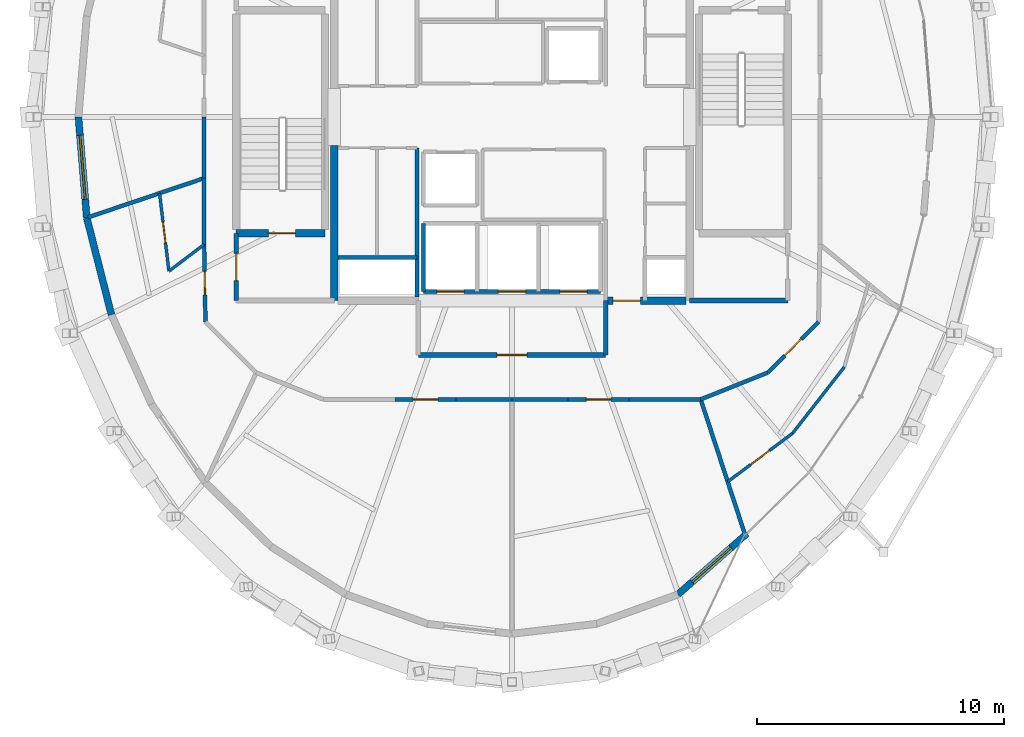
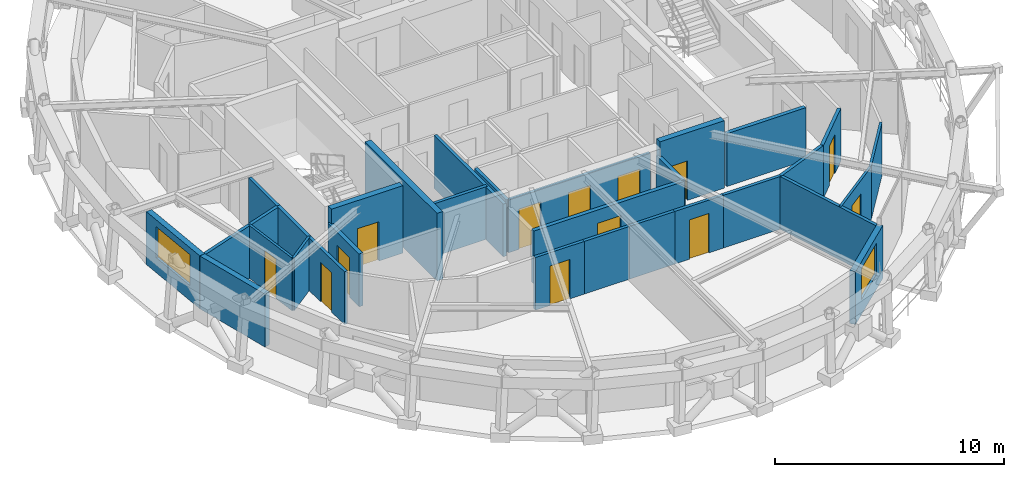
# One storey, part 10 of 14: 30 walls, 13 doors, 2 windows, 15 openings.
"""IFC4 building model written with IfcOpenShell, lengths in metres."""

import ifcopenshell
import ifcopenshell.guid

model = None  # the IFC model being written
_history = None  # IfcOwnerHistory: only IFC2X3 demands one
_inside = {}  # id of a spatial element -> (the spatial element, [elements in it])
_under = {}  # id of a project, library or spatial element -> (it, [spatial elements below it])
_declared = {}  # id of a project -> (the project, [libraries it declares])
_typed = {}  # id of a type object -> (the type object, [elements of that type])
_made_of = {}  # id of a material, layer set ... -> (it, [elements and type objects made of it])


def new_model(schema):
    """Start an empty IFC model of exactly this schema.

    Asked for "IFC4X3", IfcOpenShell would pick the latest addendum, in which some entities
    have other attributes; the version numbers below select the first issue.
    IFC2X3 requires an IfcOwnerHistory on every rooted entity: one is made here for all.
    """
    global model, _history
    if schema == "IFC4X3":
        model = ifcopenshell.file(schema_version=(4, 3, 0, 0))
    else:
        model = ifcopenshell.file(schema=schema)
    _inside.clear()
    _under.clear()
    _declared.clear()
    _typed.clear()
    _made_of.clear()
    _history = None
    if model.schema == "IFC2X3":
        org = make("IfcOrganization", Name="unknown")
        user = make(
            "IfcPersonAndOrganization",
            ThePerson=make("IfcPerson", FamilyName="unknown"),
            TheOrganization=org,
        )
        app = make(
            "IfcApplication",
            ApplicationDeveloper=org,
            Version="unknown",
            ApplicationFullName="unknown",
            ApplicationIdentifier="unknown",
        )
        _history = make(
            "IfcOwnerHistory",
            OwningUser=user,
            OwningApplication=app,
            ChangeAction="ADDED",
            CreationDate=0,
        )
    return model


def make(cls, **values):
    """One entity of the class cls with the attributes given. An attribute that is None is left unset."""
    return model.create_entity(
        cls, **{name: value for name, value in values.items() if value is not None}
    )


def rooted(cls, **values):
    """An entity with a GlobalId (a new one), such as an element, a storey or a relation."""
    return make(cls, GlobalId=ifcopenshell.guid.new(), OwnerHistory=_history, **values)


def si_unit(unit_type, name, prefix=None):
    """IfcSIUnit, for example si_unit("LENGTHUNIT", "METRE", prefix="MILLI")."""
    return make("IfcSIUnit", UnitType=unit_type, Prefix=prefix, Name=name)


def assignment(units):
    """IfcUnitAssignment: the units of a project."""
    return None if units is None else make("IfcUnitAssignment", Units=units)


def point(xyz):
    """IfcCartesianPoint."""
    return None if xyz is None else make("IfcCartesianPoint", Coordinates=xyz)


def direction(xyz):
    """IfcDirection."""
    return None if xyz is None else make("IfcDirection", DirectionRatios=xyz)


def frame(location, z_axis=None, x_axis=None):
    """IfcAxis2Placement3D, a coordinate frame: its origin and axes. An axis left out is left unset."""
    return make(
        "IfcAxis2Placement3D",
        Location=point(location),
        Axis=direction(z_axis),
        RefDirection=direction(x_axis),
    )


def frame_2d(location, x_axis=None):
    """IfcAxis2Placement2D, a coordinate frame in the plane: its origin and x axis."""
    return make(
        "IfcAxis2Placement2D", Location=point(location), RefDirection=direction(x_axis)
    )


def origin():
    """The frame at (0, 0, 0) with its axes left unset."""
    return frame((0.0, 0.0, 0.0))


def place(relative_to, where):
    """IfcLocalPlacement: puts the frame where relative to a parent placement (None: the world)."""
    return make(
        "IfcLocalPlacement", PlacementRelTo=relative_to, RelativePlacement=where
    )


def context(
    kind, dimensions, precision=None, world=None, true_north=None, identifier=None
):
    """IfcGeometricRepresentationContext, for example the 3D "Model" context."""
    return make(
        "IfcGeometricRepresentationContext",
        ContextIdentifier=identifier,
        ContextType=kind,
        CoordinateSpaceDimension=dimensions,
        Precision=precision,
        WorldCoordinateSystem=world,
        TrueNorth=true_north,
    )


def subcontext(parent, identifier, kind, view, scale=None):
    """IfcGeometricRepresentationSubContext, for example "Body" below "Model"."""
    return make(
        "IfcGeometricRepresentationSubContext",
        ContextIdentifier=identifier,
        ContextType=kind,
        ParentContext=parent,
        TargetScale=scale,
        TargetView=view,
    )


def project(units=None, contexts=None):
    """IfcProject with its units and contexts."""
    return rooted(
        "IfcProject",
        Name="project",
        RepresentationContexts=contexts,
        UnitsInContext=assignment(units),
    )


def spatial(cls, under=None, at=None, **own):
    """A site, building, storey or space (cls), placed at a placement, below another one or the project."""
    s = rooted(cls, ObjectPlacement=at, **own)
    if under is not None:
        _under.setdefault(under.id(), (under, []))[1].append(s)
    return s


def profile(cls, at=None, kind="AREA", **sizes):
    """A parametric profile (cls). Its sizes go by their IFC names, for example OverallWidth=200.0."""
    return make(cls, ProfileType=kind, Position=at, **sizes)


def rectangle(**sizes):
    """IfcRectangleProfileDef."""
    return profile("IfcRectangleProfileDef", **sizes)


def extrude(swept, where, along, depth):
    """IfcExtrudedAreaSolid: the profile swept, set in the frame where, extruded along a direction by depth."""
    return make(
        "IfcExtrudedAreaSolid",
        SweptArea=swept,
        Position=where,
        ExtrudedDirection=direction(along),
        Depth=depth,
    )


def shape(context_of_items, identifier, shape_type, items):
    """IfcShapeRepresentation: the items that make up one representation, for example the "Body"."""
    return make(
        "IfcShapeRepresentation",
        ContextOfItems=context_of_items,
        RepresentationIdentifier=identifier,
        RepresentationType=shape_type,
        Items=items,
    )


def material(Name=None, Category=None):
    """IfcMaterial."""
    return make("IfcMaterial", Name=Name, Category=Category)


def layer(
    of_material, thickness, ventilated=None, Name=None, Category=None, Priority=None
):
    """IfcMaterialLayer: one layer of a wall or slab, of a material (None: an air gap)."""
    return make(
        "IfcMaterialLayer",
        Material=of_material,
        LayerThickness=thickness,
        IsVentilated=ventilated,
        Name=Name,
        Category=Category,
        Priority=Priority,
    )


def layer_set(layers, Name=None):
    """IfcMaterialLayerSet."""
    return make("IfcMaterialLayerSet", MaterialLayers=layers, LayerSetName=Name)


def made_of(thing, what):
    """Note that an element or type object is made of a material, layer set ...; save() writes the relation."""
    if what is not None:
        _made_of.setdefault(what.id(), (what, []))[1].append(thing)
    return thing


def type_object(cls, material=None, **own):
    """A type object (cls), such as IfcWallType, which elements share."""
    return made_of(rooted(cls, **own), material)


def element(
    cls,
    number,
    at=None,
    inside=None,
    cuts=None,
    type_object=None,
    material=None,
    context=None,
    identifier="Body",
    shape_type=None,
    held_by="IfcProductDefinitionShape",
    body=None,
    shapes=None,
    **own,
):
    """One element of the class cls, such as IfcWall. Its Tag is "e" and its number.

    at: its placement. inside: the storey or other place that contains it. cuts: it is an
    opening in that element (IfcRelVoidsElement). A single representation is given by context,
    identifier, shape_type and body (its items); several are given by shapes. held_by: the class
    of the entity that holds the representations. save() writes the other relations.
    """
    e = rooted(cls, Tag="e%d" % number, ObjectPlacement=at, **own)
    if body is not None:
        shapes = [shape(context, identifier, shape_type, body)]
    if shapes is not None:
        e.Representation = make(held_by, Representations=shapes)
    if inside is not None:
        _inside.setdefault(inside.id(), (inside, []))[1].append(e)
    if cuts is not None:
        rooted(
            "IfcRelVoidsElement", RelatingBuildingElement=cuts, RelatedOpeningElement=e
        )
    if type_object is not None:
        _typed.setdefault(type_object.id(), (type_object, []))[1].append(e)
    return made_of(e, material)


def fill(opening, filler):
    """IfcRelFillsElement: the door or window that sits in an opening."""
    return rooted(
        "IfcRelFillsElement",
        RelatingOpeningElement=opening,
        RelatedBuildingElement=filler,
    )


def aggregate(whole, parts):
    """IfcRelAggregates: a whole, such as a stair, and the parts it consists of."""
    return rooted("IfcRelAggregates", RelatingObject=whole, RelatedObjects=parts)


def save(model, path):
    """Write the relations noted so far, then the file.

    IfcRelAggregates (storeys below a building ...), IfcRelContainedInSpatialStructure (elements
    in a storey), IfcRelDefinesByType, IfcRelAssociatesMaterial and IfcRelDeclares: one each for
    every whole, place, type object, material and project.
    """
    for whole, parts in _under.values():
        aggregate(whole, parts)
    for where, things in _inside.values():
        rooted(
            "IfcRelContainedInSpatialStructure",
            RelatedElements=things,
            RelatingStructure=where,
        )
    for kind, things in _typed.values():
        rooted("IfcRelDefinesByType", RelatedObjects=things, RelatingType=kind)
    for what, things in _made_of.values():
        rooted("IfcRelAssociatesMaterial", RelatedObjects=things, RelatingMaterial=what)
    for by, libraries in _declared.values():
        rooted("IfcRelDeclares", RelatingContext=by, RelatedDefinitions=libraries)
    model.write(path)


model = new_model("IFC4")

# Units and contexts
model_context = context("Model", 3, precision=1e-05, world=origin(), true_north=direction((0.0, 1.0)))
body_context = subcontext(model_context, "Body", "Model", "MODEL_VIEW")
ifc_project = project(units=[si_unit("LENGTHUNIT", "METRE"), si_unit("AREAUNIT", "SQUARE_METRE"), si_unit("VOLUMEUNIT", "CUBIC_METRE"), si_unit("PLANEANGLEUNIT", "RADIAN"), si_unit("MASSUNIT", "GRAM", prefix="KILO")], contexts=[model_context])

# Site, building, storey
site_placement = place(None, origin())
site = spatial("IfcSite", under=ifc_project, at=site_placement, CompositionType="ELEMENT")
building_placement = place(site_placement, origin())
building = spatial("IfcBuilding", under=site, at=building_placement, Name="Veldorina Hangang Commons", CompositionType="ELEMENT")
storey_placement = place(building_placement, frame((0.0, 0.0, 294.0)))
storey = spatial("IfcBuildingStorey", under=building, at=storey_placement, Name="L77", CompositionType="ELEMENT", Elevation=294.0)

# Wall
ifc_material_1 = material(Name="Concrete C50/60", Category="concrete")
ifc_layer_1 = layer(ifc_material_1, 0.300048828125)
ifc_layer_set_1 = layer_set([ifc_layer_1], Name="Concrete C50/60")
wall_type_1 = type_object("IfcWallType", Name="CW-RC300-C50", PredefinedType="SHEAR", material=ifc_layer_set_1)
wall_1_placement = place(storey_placement, frame((24.800048828125, 16.550048828125, 0.0), z_axis=(0.0, 0.0, 1.0), x_axis=(0.0, 1.0, 0.0)))
element("IfcWall", 1, at=wall_1_placement, inside=storey, type_object=wall_type_1, Name="L77 W south core shear wall", PredefinedType="SHEAR", context=body_context, shape_type="SweptSolid", body=[
    extrude(rectangle(XDim=6.300048828125, YDim=0.300048828125, at=frame_2d((3.14990234375, 0.0))), origin(), (0.0, 0.0, 1.0), 3.60009765625),
])

# Wall, opening, door
wall_2_placement = place(storey_placement, frame((35.800048828125, 16.550048828125, 0.0), z_axis=(0.0, 0.0, 1.0), x_axis=(1.0, 0.0, 0.0)))
wall_2 = element("IfcWall", 2, at=wall_2_placement, inside=storey, type_object=wall_type_1, Name="L77 south-east core shear wall", PredefinedType="SHEAR", context=body_context, shape_type="SweptSolid", body=[
    extrude(rectangle(XDim=3.25, YDim=0.300048828125, at=frame_2d((1.625, 0.0))), origin(), (0.0, 0.0, 1.0), 3.60009765625),
])
opening_1_placement = place(wall_2_placement, frame((0.300048828125, 0.0, 0.0)))
opening_1 = element("IfcOpeningElement", 3, at=opening_1_placement, cuts=wall_2, Name="Opening D-08", PredefinedType="OPENING", context=body_context, shape_type="SweptSolid", body=[
    extrude(rectangle(XDim=1.10009765625, YDim=2.10009765625, at=frame_2d((0.550048828125, 1.050048828125))), frame((0.0, 0.16015625, 0.0), z_axis=(0.0, -1.0, 0.0), x_axis=(1.0, 0.0, 0.0)), (0.0, 0.0, 1.0), 0.320068359375),
])
ifc_material_2 = material(Name="Steel Fire-Rated Smoke Seal", Category="steel")
door_type_1 = type_object("IfcDoorType", Name="DR-FIRE-1100", OperationType="SINGLE_SWING_RIGHT", PredefinedType="DOOR", material=ifc_material_2)
door_1_placement = place(opening_1_placement, origin())
door_1 = element("IfcDoor", 4, at=door_1_placement, inside=storey, type_object=door_type_1, Name="L77 central lift lobby south corridor door", OperationType="SINGLE_SWING_RIGHT", OverallHeight=2.10009765625, OverallWidth=1.10009765625, PredefinedType="DOOR", context=body_context, shape_type="SweptSolid", body=[
    extrude(rectangle(XDim=1.10009765625, YDim=2.10009765625, at=frame_2d((0.550048828125, 1.050048828125))), frame((0.0, 0.02490234375, 0.0), z_axis=(0.0, -1.0, 0.0), x_axis=(1.0, 0.0, 0.0)), (0.0, 0.0, 1.0), 0.050048828125),
])
fill(opening_1, door_1)

# Wall, opening, window
ifc_material_3 = material(Name="Stone Roman Travertine", Category="masonry")
ifc_layer_2 = layer(ifc_material_3, 0.280029296875)
ifc_layer_set_2 = layer_set([ifc_layer_2], Name="Stone Roman Travertine")
wall_type_2 = type_object("IfcWallType", Name="EW-TRAV-280", PredefinedType="STANDARD", material=ifc_layer_set_2)
wall_3_placement = place(storey_placement, frame((14.424072265625, 24.0, 0.0), z_axis=(0.0, 0.0, 1.0), x_axis=(0.082321320945, -0.996605839898, 0.0)))
wall_3 = element("IfcWall", 5, at=wall_3_placement, inside=storey, type_object=wall_type_2, Name="L77 travertine facade wall 16", PredefinedType="STANDARD", context=body_context, shape_type="SweptSolid", body=[
    extrude(rectangle(XDim=4.1015625, YDim=0.280029296875, at=frame_2d((2.05078125, 0.0))), origin(), (0.0, 0.0, 1.0), 2.820068359375),
])
opening_2_placement = place(wall_3_placement, frame((0.750732421875, 0.0, 0.800048828125)))
opening_2 = element("IfcOpeningElement", 6, at=opening_2_placement, cuts=wall_3, Name="Opening W-02", PredefinedType="OPENING", context=body_context, shape_type="SweptSolid", body=[
    extrude(rectangle(XDim=2.60009765625, YDim=1.64990234375, at=frame_2d((1.300048828125, 0.824951171875))), frame((0.0, 0.14990234375, 0.0), z_axis=(0.0, -1.0, 0.0), x_axis=(1.0, 0.0, 0.0)), (0.0, 0.0, 1.0), 0.300048828125),
])
ifc_material_4 = material(Name="Glass Low-E Triple IGU", Category="glass")
window_type_1 = type_object("IfcWindowType", Name="WIN-TWR-2600", PartitioningType="SINGLE_PANEL", PredefinedType="WINDOW", material=ifc_material_4)
window_1_placement = place(opening_2_placement, origin())
window_1 = element("IfcWindow", 7, at=window_1_placement, inside=storey, type_object=window_type_1, Name="L77 facade window 16", OverallHeight=1.64990234375, OverallWidth=2.60009765625, PartitioningType="SINGLE_PANEL", PredefinedType="WINDOW", context=body_context, shape_type="SweptSolid", body=[
    extrude(rectangle(XDim=2.60009765625, YDim=1.64990234375, at=frame_2d((1.300048828125, 0.824951171875))), frame((0.0, 0.030029296875, 0.0), z_axis=(0.0, -1.0, 0.0), x_axis=(1.0, 0.0, 0.0)), (0.0, 0.0, 1.0), 0.06005859375),
])
fill(opening_2, window_1)

# Wall
wall_4_placement = place(storey_placement, frame((14.76171875, 19.912353515625, 0.0), z_axis=(0.0, 0.0, 1.0), x_axis=(0.246626857917, -0.969110516378, 0.0)))
element("IfcWall", 8, at=wall_4_placement, inside=storey, type_object=wall_type_2, Name="L77 travertine facade wall 17", PredefinedType="STANDARD", context=body_context, shape_type="SweptSolid", body=[
    extrude(rectangle(XDim=4.0556640625, YDim=0.280029296875, at=frame_2d((2.02783203125, 0.0))), origin(), (0.0, 0.0, 1.0), 2.820068359375),
])

# Wall, opening, window
wall_5_placement = place(storey_placement, frame((38.72607421875, 4.642822265625, 0.0), z_axis=(0.0, 0.0, 1.0), x_axis=(0.75049902536, 0.660871555549, 0.0)))
wall_5 = element("IfcWall", 9, at=wall_5_placement, inside=storey, type_object=wall_type_2, Name="L77 travertine facade wall 26", PredefinedType="STANDARD", context=body_context, shape_type="SweptSolid", body=[
    extrude(rectangle(XDim=3.726318359375, YDim=0.280029296875, at=frame_2d((1.86328125, 0.0))), origin(), (0.0, 0.0, 1.0), 2.820068359375),
])
opening_3_placement = place(wall_5_placement, frame((0.76708984375, 0.0, 0.800048828125)))
opening_3 = element("IfcOpeningElement", 10, at=opening_3_placement, cuts=wall_5, Name="Opening W-03", PredefinedType="OPENING", context=body_context, shape_type="SweptSolid", body=[
    extrude(rectangle(XDim=2.10009765625, YDim=1.64990234375, at=frame_2d((1.050048828125, 0.824951171875))), frame((0.0, 0.14990234375, 0.0), z_axis=(0.0, -1.0, 0.0), x_axis=(1.0, 0.0, 0.0)), (0.0, 0.0, 1.0), 0.300048828125),
])
window_type_2 = type_object("IfcWindowType", Name="WIN-TWR-2100", PartitioningType="SINGLE_PANEL", PredefinedType="WINDOW", material=ifc_material_4)
window_2_placement = place(opening_3_placement, origin())
window_2 = element("IfcWindow", 11, at=window_2_placement, inside=storey, type_object=window_type_2, Name="L77 facade window 26", OverallHeight=1.64990234375, OverallWidth=2.10009765625, PartitioningType="SINGLE_PANEL", PredefinedType="WINDOW", context=body_context, shape_type="SweptSolid", body=[
    extrude(rectangle(XDim=2.10009765625, YDim=1.64990234375, at=frame_2d((1.050048828125, 0.824951171875))), frame((0.0, 0.030029296875, 0.0), z_axis=(0.0, -1.0, 0.0), x_axis=(1.0, 0.0, 0.0)), (0.0, 0.0, 1.0), 0.06005859375),
])
fill(opening_3, window_2)

# Wall, opening, door
ifc_layer_3 = layer(ifc_material_1, 0.300048828125)
ifc_layer_set_3 = layer_set([ifc_layer_3], Name="Concrete C50/60")
wall_type_3 = type_object("IfcWallType", Name="SW-STAIR-300", PredefinedType="SHEAR", material=ifc_layer_set_3)
wall_6_placement = place(storey_placement, frame((20.820068359375, 19.280029296875, 0.0), z_axis=(0.0, 0.0, 1.0), x_axis=(1.0, 0.0, 0.0)))
wall_6 = element("IfcWall", 12, at=wall_6_placement, inside=storey, type_object=wall_type_3, Name="L77 ST1 south stair shear wall", PredefinedType="SHEAR", context=body_context, shape_type="SweptSolid", body=[
    extrude(rectangle(XDim=3.599853515625, YDim=0.300048828125, at=frame_2d((1.7998046875, 0.0))), origin(), (0.0, 0.0, 1.0), 3.60009765625),
])
opening_4_placement = place(wall_6_placement, frame((1.300048828125, 0.0, 0.0)))
opening_4 = element("IfcOpeningElement", 13, at=opening_4_placement, cuts=wall_6, Name="Opening D-08", PredefinedType="OPENING", context=body_context, shape_type="SweptSolid", body=[
    extrude(rectangle(XDim=1.10009765625, YDim=2.10009765625, at=frame_2d((0.550048828125, 1.050048828125))), frame((0.0, 0.16015625, 0.0), z_axis=(0.0, -1.0, 0.0), x_axis=(1.0, 0.0, 0.0)), (0.0, 0.0, 1.0), 0.320068359375),
])
door_2_placement = place(opening_4_placement, origin())
door_2 = element("IfcDoor", 14, at=door_2_placement, inside=storey, type_object=door_type_1, Name="L77 Special Escape Stair ST-1 door", OperationType="SINGLE_SWING_LEFT", OverallHeight=2.10009765625, OverallWidth=1.10009765625, PredefinedType="DOOR", context=body_context, shape_type="SweptSolid", body=[
    extrude(rectangle(XDim=1.10009765625, YDim=2.10009765625, at=frame_2d((0.550048828125, 1.050048828125))), frame((0.0, 0.02490234375, 0.0), z_axis=(0.0, -1.0, 0.0), x_axis=(1.0, 0.0, 0.0)), (0.0, 0.0, 1.0), 0.050048828125),
])
fill(opening_4, door_2)

# Wall, openings, doors
ifc_material_5 = material(Name="Gypsum Fire-Rated Twin Stud Wall", Category="gypsum")
ifc_layer_4 = layer(ifc_material_5, 0.159912109375)
ifc_layer_set_4 = layer_set([ifc_layer_4], Name="Gypsum Fire-Rated Twin Stud Wall")
wall_type_4 = type_object("IfcWallType", Name="WL-FIRE-160", PredefinedType="SOLIDWALL", material=ifc_layer_set_4)
wall_7_placement = place(storey_placement, frame((28.419921875, 16.919921875, 0.0), z_axis=(0.0, 0.0, 1.0), x_axis=(1.0, 0.0, 0.0)))
wall_7 = element("IfcWall", 15, at=wall_7_placement, inside=storey, type_object=wall_type_4, Name="L77 Emergency front shaft wall 023", PredefinedType="SOLIDWALL", context=body_context, shape_type="SweptSolid", body=[
    extrude(rectangle(XDim=7.16015625, YDim=0.159912109375, at=frame_2d((3.580078125, 0.0))), origin(), (0.0, 0.0, 1.0), 2.81005859375),
])
opening_5_placement = place(wall_7_placement, frame((0.530029296875, 0.0, 0.0)))
opening_5 = element("IfcOpeningElement", 16, at=opening_5_placement, cuts=wall_7, Name="Opening LD-03", PredefinedType="OPENING", context=body_context, shape_type="SweptSolid", body=[
    extrude(rectangle(XDim=1.10009765625, YDim=2.14990234375, at=frame_2d((0.550048828125, 1.074951171875))), frame((0.0, 0.08984375, 0.0), z_axis=(0.0, -1.0, 0.0), x_axis=(1.0, 0.0, 0.0)), (0.0, 0.0, 1.0), 0.179931640625),
])
opening_6_placement = place(wall_7_placement, frame((3.030029296875, 0.0, 0.0)))
opening_6 = element("IfcOpeningElement", 17, at=opening_6_placement, cuts=wall_7, Name="Opening LD-03", PredefinedType="OPENING", context=body_context, shape_type="SweptSolid", body=[
    extrude(rectangle(XDim=1.10009765625, YDim=2.14990234375, at=frame_2d((0.550048828125, 1.074951171875))), frame((0.0, 0.08984375, 0.0), z_axis=(0.0, -1.0, 0.0), x_axis=(1.0, 0.0, 0.0)), (0.0, 0.0, 1.0), 0.179931640625),
])
opening_7_placement = place(wall_7_placement, frame((5.530029296875, 0.0, 0.0)))
opening_7 = element("IfcOpeningElement", 18, at=opening_7_placement, cuts=wall_7, Name="Opening LD-03", PredefinedType="OPENING", context=body_context, shape_type="SweptSolid", body=[
    extrude(rectangle(XDim=1.10009765625, YDim=2.14990234375, at=frame_2d((0.550048828125, 1.074951171875))), frame((0.0, 0.08984375, 0.0), z_axis=(0.0, -1.0, 0.0), x_axis=(1.0, 0.0, 0.0)), (0.0, 0.0, 1.0), 0.179931640625),
])
ifc_material_6 = material(Name="Stainless Steel Firefighting Lift Door", Category="steel")
door_type_2 = type_object("IfcDoorType", Name="DR-LIFT-FF1100", OperationType="SLIDING_TO_RIGHT", PredefinedType="DOOR", material=ifc_material_6)
door_3_placement = place(opening_5_placement, origin())
door_3 = element("IfcDoor", 19, at=door_3_placement, inside=storey, type_object=door_type_2, Name="L77 Emergency lift FFL-1 landing door 008", OperationType="SLIDING_TO_RIGHT", OverallHeight=2.14990234375, OverallWidth=1.10009765625, PredefinedType="DOOR", context=body_context, shape_type="SweptSolid", body=[
    extrude(rectangle(XDim=1.10009765625, YDim=2.14990234375, at=frame_2d((0.550048828125, 1.074951171875))), frame((0.0, 0.02490234375, 0.0), z_axis=(0.0, -1.0, 0.0), x_axis=(1.0, 0.0, 0.0)), (0.0, 0.0, 1.0), 0.050048828125),
])
fill(opening_5, door_3)
door_4_placement = place(opening_6_placement, origin())
door_4 = element("IfcDoor", 20, at=door_4_placement, inside=storey, type_object=door_type_2, Name="L77 Emergency lift FFL-2 landing door 009", OperationType="SLIDING_TO_RIGHT", OverallHeight=2.14990234375, OverallWidth=1.10009765625, PredefinedType="DOOR", context=body_context, shape_type="SweptSolid", body=[
    extrude(rectangle(XDim=1.10009765625, YDim=2.14990234375, at=frame_2d((0.550048828125, 1.074951171875))), frame((0.0, 0.02490234375, 0.0), z_axis=(0.0, -1.0, 0.0), x_axis=(1.0, 0.0, 0.0)), (0.0, 0.0, 1.0), 0.050048828125),
])
fill(opening_6, door_4)
door_5_placement = place(opening_7_placement, origin())
door_5 = element("IfcDoor", 21, at=door_5_placement, inside=storey, type_object=door_type_2, Name="L77 Emergency lift EVL-1 landing door 010", OperationType="SLIDING_TO_RIGHT", OverallHeight=2.14990234375, OverallWidth=1.10009765625, PredefinedType="DOOR", context=body_context, shape_type="SweptSolid", body=[
    extrude(rectangle(XDim=1.10009765625, YDim=2.14990234375, at=frame_2d((0.550048828125, 1.074951171875))), frame((0.0, 0.02490234375, 0.0), z_axis=(0.0, -1.0, 0.0), x_axis=(1.0, 0.0, 0.0)), (0.0, 0.0, 1.0), 0.050048828125),
])
fill(opening_7, door_5)

# Walls
wall_8_placement = place(storey_placement, frame((28.419921875, 16.919921875, 0.0), z_axis=(0.0, 0.0, 1.0), x_axis=(0.0, 1.0, 0.0)))
element("IfcWall", 22, at=wall_8_placement, inside=storey, type_object=wall_type_4, Name="L77 FFL-1 west shaft wall 025", PredefinedType="SOLIDWALL", context=body_context, shape_type="SweptSolid", body=[
    extrude(rectangle(XDim=2.760009765625, YDim=0.159912109375, at=frame_2d((1.3798828125, 0.0))), origin(), (0.0, 0.0, 1.0), 2.81005859375),
])
wall_9_placement = place(storey_placement, frame((24.949951171875, 18.300048828125, 0.0), z_axis=(0.0, 0.0, 1.0), x_axis=(1.0, 0.0, 0.0)))
element("IfcWall", 23, at=wall_9_placement, inside=storey, type_object=wall_type_4, Name="L77 Electrical riser wall 041", PredefinedType="SOLIDWALL", context=body_context, shape_type="SweptSolid", body=[
    extrude(rectangle(XDim=3.199951171875, YDim=0.159912109375, at=frame_2d((1.60009765625, 0.0))), origin(), (0.0, 0.0, 1.0), 2.81005859375),
])
wall_10_placement = place(storey_placement, frame((28.14990234375, 16.699951171875, 0.0), z_axis=(0.0, 0.0, 1.0), x_axis=(0.0, 1.0, 0.0)))
element("IfcWall", 24, at=wall_10_placement, inside=storey, type_object=wall_type_4, Name="L77 SW core inner wall 042", PredefinedType="SOLIDWALL", context=body_context, shape_type="SweptSolid", body=[
    extrude(rectangle(XDim=6.050048828125, YDim=0.159912109375, at=frame_2d((3.02490234375, 0.0))), origin(), (0.0, 0.0, 1.0), 2.81005859375),
])
wall_11_placement = place(storey_placement, frame((19.52001953125, 24.0, 0.0), z_axis=(0.0, 0.0, 1.0), x_axis=(0.0, -1.0, 0.0)))
element("IfcWall", 25, at=wall_11_placement, inside=storey, type_object=wall_type_4, Name="L77 Compact collar outer wall 16 072", PredefinedType="SOLIDWALL", context=body_context, shape_type="SweptSolid", body=[
    extrude(rectangle(XDim=2.482421875, YDim=0.159912109375, at=frame_2d((1.2412109375, 0.0))), origin(), (0.0, 0.0, 1.0), 2.81005859375),
])
wall_12_placement = place(storey_placement, frame((19.52001953125, 21.517578125, 0.0), z_axis=(0.0, 0.0, 1.0), x_axis=(0.0, -1.0, 0.0)))
element("IfcWall", 26, at=wall_12_placement, inside=storey, type_object=wall_type_4, Name="L77 Compact collar outer wall 17 073", PredefinedType="SOLIDWALL", context=body_context, shape_type="SweptSolid", body=[
    extrude(rectangle(XDim=2.68701171875, YDim=0.159912109375, at=frame_2d((1.343505859375, 0.0))), origin(), (0.0, 0.0, 1.0), 2.81005859375),
])

# Wall, opening, door
wall_13_placement = place(storey_placement, frame((19.52001953125, 18.83056640625, 0.0), z_axis=(0.0, 0.0, 1.0), x_axis=(0.016981035134, -0.999855811828, 0.0)))
wall_13 = element("IfcWall", 27, at=wall_13_placement, inside=storey, type_object=wall_type_4, Name="L77 Compact collar outer wall 18 074", PredefinedType="SOLIDWALL", context=body_context, shape_type="SweptSolid", body=[
    extrude(rectangle(XDim=3.13427734375, YDim=0.159912109375, at=frame_2d((1.567138671875, 0.0))), origin(), (0.0, 0.0, 1.0), 2.81005859375),
])
opening_8_placement = place(wall_13_placement, frame((1.09228515625, 0.0, 0.0)))
opening_8 = element("IfcOpeningElement", 28, at=opening_8_placement, cuts=wall_13, Name="Opening D-03", PredefinedType="OPENING", context=body_context, shape_type="SweptSolid", body=[
    extrude(rectangle(XDim=0.949951171875, YDim=2.10009765625, at=frame_2d((0.47509765625, 1.050048828125))), frame((0.0, 0.08984375, 0.0), z_axis=(0.0, -1.0, 0.0), x_axis=(1.0, 0.0, 0.0)), (0.0, 0.0, 1.0), 0.179931640625),
])
ifc_material_7 = material(Name="Timber Fire-Rated Entrance Core", Category="wood")
door_type_3 = type_object("IfcDoorType", Name="DR-UNIT-950", OperationType="SINGLE_SWING_RIGHT", PredefinedType="DOOR", material=ifc_material_7)
door_6_placement = place(opening_8_placement, origin())
door_6 = element("IfcDoor", 29, at=door_6_placement, inside=storey, type_object=door_type_3, Name="L77 Studio 7 entrance door 036", OperationType="SINGLE_SWING_RIGHT", OverallHeight=2.10009765625, OverallWidth=0.949951171875, PredefinedType="DOOR", context=body_context, shape_type="SweptSolid", body=[
    extrude(rectangle(XDim=0.949951171875, YDim=2.10009765625, at=frame_2d((0.47509765625, 1.050048828125))), frame((0.0, 0.02490234375, 0.0), z_axis=(0.0, -1.0, 0.0), x_axis=(1.0, 0.0, 0.0)), (0.0, 0.0, 1.0), 0.050048828125),
])
fill(opening_8, door_6)

wall_14_placement = place(storey_placement, frame((27.25732421875, 12.550048828125, 0.0), z_axis=(0.0, 0.0, 1.0), x_axis=(1.0, 0.0, 0.0)))
wall_14 = element("IfcWall", 30, at=wall_14_placement, inside=storey, type_object=wall_type_4, Name="L77 Compact collar outer wall 22 078", PredefinedType="SOLIDWALL", context=body_context, shape_type="SweptSolid", body=[
    extrude(rectangle(XDim=2.465087890625, YDim=0.159912109375, at=frame_2d((1.232421875, 0.0))), origin(), (0.0, 0.0, 1.0), 2.81005859375),
])
opening_9_placement = place(wall_14_placement, frame((0.732666015625, 0.0, 0.0)))
opening_9 = element("IfcOpeningElement", 31, at=opening_9_placement, cuts=wall_14, Name="Opening D-05", PredefinedType="OPENING", context=body_context, shape_type="SweptSolid", body=[
    extrude(rectangle(XDim=1.0, YDim=2.10009765625, at=frame_2d((0.5, 1.050048828125))), frame((0.0, 0.08984375, 0.0), z_axis=(0.0, -1.0, 0.0), x_axis=(1.0, 0.0, 0.0)), (0.0, 0.0, 1.0), 0.179931640625),
])
ifc_material_8 = material(Name="Timber Solid Core Acoustic", Category="wood")
door_type_4 = type_object("IfcDoorType", Name="DR-INT-1000", OperationType="SINGLE_SWING_RIGHT", PredefinedType="DOOR", material=ifc_material_8)
door_7_placement = place(opening_9_placement, origin())
door_7 = element("IfcDoor", 32, at=door_7_placement, inside=storey, type_object=door_type_4, Name="L77 Floor Study Room 8 door 037", OperationType="SINGLE_SWING_LEFT", OverallHeight=2.10009765625, OverallWidth=1.0, PredefinedType="DOOR", context=body_context, shape_type="SweptSolid", body=[
    extrude(rectangle(XDim=1.0, YDim=2.10009765625, at=frame_2d((0.5, 1.050048828125))), frame((0.0, 0.02490234375, 0.0), z_axis=(0.0, -1.0, 0.0), x_axis=(1.0, 0.0, 0.0)), (0.0, 0.0, 1.0), 0.050048828125),
])
fill(opening_9, door_7)

# Walls
for number, where, z_axis, x_axis, name in (
    (33, (29.722412109375, 12.550048828125, 0.0), (0.0, 0.0, 1.0), (1.0, 0.0, 0.0), "L77 Compact collar outer wall 23 079"),
    (34, (32.0, 12.550048828125, 0.0), (0.0, 0.0, 1.0), (1.0, 0.0, 0.0), "L77 Compact collar outer wall 24 080"),
):
    element("IfcWall", number, at=place(storey_placement, frame(where, z_axis=z_axis, x_axis=x_axis)), inside=storey, type_object=wall_type_4, Name=name, PredefinedType="SOLIDWALL", context=body_context, shape_type="SweptSolid", body=[
        extrude(rectangle(XDim=2.277587890625, YDim=0.159912109375, at=frame_2d((1.138671875, 0.0))), origin(), (0.0, 0.0, 1.0), 2.81005859375),
    ])

# Wall, opening, door
wall_15_placement = place(storey_placement, frame((34.277587890625, 12.550048828125, 0.0), z_axis=(0.0, 0.0, 1.0), x_axis=(1.0, 0.0, 0.0)))
wall_15 = element("IfcWall", 35, at=wall_15_placement, inside=storey, type_object=wall_type_4, Name="L77 Compact collar outer wall 25 081", PredefinedType="SOLIDWALL", context=body_context, shape_type="SweptSolid", body=[
    extrude(rectangle(XDim=2.465087890625, YDim=0.159912109375, at=frame_2d((1.232421875, 0.0))), origin(), (0.0, 0.0, 1.0), 2.81005859375),
])
opening_10_placement = place(wall_15_placement, frame((0.732666015625, 0.0, 0.0)))
opening_10 = element("IfcOpeningElement", 36, at=opening_10_placement, cuts=wall_15, Name="Opening D-05", PredefinedType="OPENING", context=body_context, shape_type="SweptSolid", body=[
    extrude(rectangle(XDim=1.0, YDim=2.10009765625, at=frame_2d((0.5, 1.050048828125))), frame((0.0, 0.08984375, 0.0), z_axis=(0.0, -1.0, 0.0), x_axis=(1.0, 0.0, 0.0)), (0.0, 0.0, 1.0), 0.179931640625),
])
door_8_placement = place(opening_10_placement, origin())
door_8 = element("IfcDoor", 37, at=door_8_placement, inside=storey, type_object=door_type_4, Name="L77 Seminar Focus Room 9 door 038", OperationType="SINGLE_SWING_RIGHT", OverallHeight=2.10009765625, OverallWidth=1.0, PredefinedType="DOOR", context=body_context, shape_type="SweptSolid", body=[
    extrude(rectangle(XDim=1.0, YDim=2.10009765625, at=frame_2d((0.5, 1.050048828125))), frame((0.0, 0.02490234375, 0.0), z_axis=(0.0, -1.0, 0.0), x_axis=(1.0, 0.0, 0.0)), (0.0, 0.0, 1.0), 0.050048828125),
])
fill(opening_10, door_8)

# Walls
wall_16_placement = place(storey_placement, frame((36.74267578125, 12.550048828125, 0.0), z_axis=(0.0, 0.0, 1.0), x_axis=(1.0, 0.0, 0.0)))
element("IfcWall", 38, at=wall_16_placement, inside=storey, type_object=wall_type_4, Name="L77 Compact collar outer wall 26 082", PredefinedType="SOLIDWALL", context=body_context, shape_type="SweptSolid", body=[
    extrude(rectangle(XDim=2.907958984375, YDim=0.159912109375, at=frame_2d((1.4541015625, 0.0))), origin(), (0.0, 0.0, 1.0), 2.81005859375),
])
wall_17_placement = place(storey_placement, frame((39.650634765625, 12.550048828125, 0.0), z_axis=(0.0, 0.0, 1.0), x_axis=(0.92856882165, 0.371160266542, 0.0)))
element("IfcWall", 39, at=wall_17_placement, inside=storey, type_object=wall_type_4, Name="L77 Compact collar outer wall 27 083", PredefinedType="SOLIDWALL", context=body_context, shape_type="SweptSolid", body=[
    extrude(rectangle(XDim=2.923095703125, YDim=0.159912109375, at=frame_2d((1.46142578125, 0.0))), origin(), (0.0, 0.0, 1.0), 2.81005859375),
])

# Wall, opening, door
wall_18_placement = place(storey_placement, frame((42.364990234375, 13.635009765625, 0.0), z_axis=(0.0, 0.0, 1.0), x_axis=(0.707106781187, 0.707106781187, 0.0)))
wall_18 = element("IfcWall", 40, at=wall_18_placement, inside=storey, type_object=wall_type_4, Name="L77 Compact collar outer wall 28 084", PredefinedType="SOLIDWALL", context=body_context, shape_type="SweptSolid", body=[
    extrude(rectangle(XDim=2.915771484375, YDim=0.159912109375, at=frame_2d((1.4580078125, 0.0))), origin(), (0.0, 0.0, 1.0), 2.81005859375),
])
opening_11_placement = place(wall_18_placement, frame((0.98291015625, 0.0, 0.0)))
opening_11 = element("IfcOpeningElement", 41, at=opening_11_placement, cuts=wall_18, Name="Opening D-02", PredefinedType="OPENING", context=body_context, shape_type="SweptSolid", body=[
    extrude(rectangle(XDim=0.949951171875, YDim=2.10009765625, at=frame_2d((0.47509765625, 1.050048828125))), frame((0.0, 0.08984375, 0.0), z_axis=(0.0, -1.0, 0.0), x_axis=(1.0, 0.0, 0.0)), (0.0, 0.0, 1.0), 0.179931640625),
])
door_type_5 = type_object("IfcDoorType", Name="DR-INT-950", OperationType="SINGLE_SWING_LEFT", PredefinedType="DOOR", material=ifc_material_8)
door_9_placement = place(opening_11_placement, origin())
door_9 = element("IfcDoor", 42, at=door_9_placement, inside=storey, type_object=door_type_5, Name="L77 Linen drying store door 039", OperationType="SINGLE_SWING_LEFT", OverallHeight=2.10009765625, OverallWidth=0.949951171875, PredefinedType="DOOR", context=body_context, shape_type="SweptSolid", body=[
    extrude(rectangle(XDim=0.949951171875, YDim=2.10009765625, at=frame_2d((0.47509765625, 1.050048828125))), frame((0.0, 0.02490234375, 0.0), z_axis=(0.0, -1.0, 0.0), x_axis=(1.0, 0.0, 0.0)), (0.0, 0.0, 1.0), 0.050048828125),
])
fill(opening_11, door_9)

# Walls
wall_19_placement = place(storey_placement, frame((19.52001953125, 21.517578125, 0.0), z_axis=(0.0, 0.0, 1.0), x_axis=(-0.947542853747, -0.319628753889, 0.0)))
element("IfcWall", 43, at=wall_19_placement, inside=storey, type_object=wall_type_4, Name="L77 Unit party wall 17 104", PredefinedType="SOLIDWALL", context=body_context, shape_type="SweptSolid", body=[
    extrude(rectangle(XDim=4.9716796875, YDim=0.159912109375, at=frame_2d((2.48583984375, 0.0))), origin(), (0.0, 0.0, 1.0), 2.81005859375),
])
wall_20_placement = place(storey_placement, frame((39.650634765625, 12.550048828125, 0.0), z_axis=(0.0, 0.0, 1.0), x_axis=(0.311211491999, -0.950340679571, 0.0)))
element("IfcWall", 44, at=wall_20_placement, inside=storey, type_object=wall_type_4, Name="L77 Unit party wall 27 109", PredefinedType="SOLIDWALL", context=body_context, shape_type="SweptSolid", body=[
    extrude(rectangle(XDim=5.7431640625, YDim=0.159912109375, at=frame_2d((2.87158203125, 0.0))), origin(), (0.0, 0.0, 1.0), 2.81005859375),
])

# Wall, opening, door
ifc_material_9 = material(Name="Concrete Blockwork Fire Wall C30/37", Category="masonry")
ifc_layer_5 = layer(ifc_material_9, 0.199951171875)
ifc_layer_set_5 = layer_set([ifc_layer_5], Name="Concrete Blockwork Fire Wall C30/37")
wall_type_5 = type_object("IfcWallType", Name="WL-FIRE-200", PredefinedType="SOLIDWALL", material=ifc_layer_set_5)
wall_21_placement = place(storey_placement, frame((20.820068359375, 16.550048828125, 0.0), z_axis=(0.0, 0.0, 1.0), x_axis=(0.0, 1.0, 0.0)))
wall_21 = element("IfcWall", 45, at=wall_21_placement, inside=storey, type_object=wall_type_5, Name="L77 West vestibule outer wall 001", PredefinedType="SOLIDWALL", context=body_context, shape_type="SweptSolid", body=[
    extrude(rectangle(XDim=2.72998046875, YDim=0.199951171875, at=frame_2d((1.364990234375, 0.0))), origin(), (0.0, 0.0, 1.0), 2.81005859375),
])
opening_12_placement = place(wall_21_placement, frame((0.81494140625, 0.0, 0.0)))
opening_12 = element("IfcOpeningElement", 46, at=opening_12_placement, cuts=wall_21, Name="Opening D-08", PredefinedType="OPENING", context=body_context, shape_type="SweptSolid", body=[
    extrude(rectangle(XDim=1.10009765625, YDim=2.10009765625, at=frame_2d((0.550048828125, 1.050048828125))), frame((0.0, 0.10986328125, 0.0), z_axis=(0.0, -1.0, 0.0), x_axis=(1.0, 0.0, 0.0)), (0.0, 0.0, 1.0), 0.219970703125),
])
door_10_placement = place(opening_12_placement, origin())
door_10 = element("IfcDoor", 47, at=door_10_placement, inside=storey, type_object=door_type_1, Name="L77 West vestibule west door 001", OperationType="SINGLE_SWING_LEFT", OverallHeight=2.10009765625, OverallWidth=1.10009765625, PredefinedType="DOOR", context=body_context, shape_type="SweptSolid", body=[
    extrude(rectangle(XDim=1.10009765625, YDim=2.10009765625, at=frame_2d((0.550048828125, 1.050048828125))), frame((0.0, 0.02490234375, 0.0), z_axis=(0.0, -1.0, 0.0), x_axis=(1.0, 0.0, 0.0)), (0.0, 0.0, 1.0), 0.050048828125),
])
fill(opening_12, door_10)

# Walls
wall_22_placement = place(storey_placement, frame((39.199951171875, 16.550048828125, 0.0), z_axis=(0.0, 0.0, 1.0), x_axis=(1.0, 0.0, 0.0)))
element("IfcWall", 48, at=wall_22_placement, inside=storey, type_object=wall_type_5, Name="L77 SE core room south wall 008", PredefinedType="SOLIDWALL", context=body_context, shape_type="SweptSolid", body=[
    extrude(rectangle(XDim=3.97998046875, YDim=0.199951171875, at=frame_2d((1.989990234375, 0.0))), origin(), (0.0, 0.0, 1.0), 2.81005859375),
])
wall_23_placement = place(storey_placement, frame((35.800048828125, 14.35009765625, 0.0), z_axis=(0.0, 0.0, 1.0), x_axis=(0.0, 1.0, 0.0)))
element("IfcWall", 49, at=wall_23_placement, inside=storey, type_object=wall_type_5, Name="L77 FF lobby east wall 013", PredefinedType="SOLIDWALL", context=body_context, shape_type="SweptSolid", body=[
    extrude(rectangle(XDim=2.199951171875, YDim=0.199951171875, at=frame_2d((1.10009765625, 0.0))), origin(), (0.0, 0.0, 1.0), 2.81005859375),
])

# Wall, opening, door
wall_24_placement = place(storey_placement, frame((28.199951171875, 14.35009765625, 0.0), z_axis=(0.0, 0.0, 1.0), x_axis=(1.0, 0.0, 0.0)))
wall_24 = element("IfcWall", 50, at=wall_24_placement, inside=storey, type_object=wall_type_5, Name="L77 FF lobby south wall 014", PredefinedType="SOLIDWALL", context=body_context, shape_type="SweptSolid", body=[
    extrude(rectangle(XDim=7.60009765625, YDim=0.199951171875, at=frame_2d((3.800048828125, 0.0))), origin(), (0.0, 0.0, 1.0), 2.81005859375),
])
opening_13_placement = place(wall_24_placement, frame((3.199951171875, 0.0, 0.0)))
opening_13 = element("IfcOpeningElement", 51, at=opening_13_placement, cuts=wall_24, Name="Opening D-09", PredefinedType="OPENING", context=body_context, shape_type="SweptSolid", body=[
    extrude(rectangle(XDim=1.199951171875, YDim=2.10009765625, at=frame_2d((0.60009765625, 1.050048828125))), frame((0.0, 0.10986328125, 0.0), z_axis=(0.0, -1.0, 0.0), x_axis=(1.0, 0.0, 0.0)), (0.0, 0.0, 1.0), 0.219970703125),
])
ifc_material_10 = material(Name="Steel Fire-Rated Corridor Door", Category="steel")
door_type_6 = type_object("IfcDoorType", Name="DR-FIRE-1200", OperationType="SINGLE_SWING_LEFT", PredefinedType="DOOR", material=ifc_material_10)
door_11_placement = place(opening_13_placement, origin())
door_11 = element("IfcDoor", 52, at=door_11_placement, inside=storey, type_object=door_type_6, Name="L77 FF lobby south corridor door 005", OperationType="SINGLE_SWING_LEFT", OverallHeight=2.10009765625, OverallWidth=1.199951171875, PredefinedType="DOOR", context=body_context, shape_type="SweptSolid", body=[
    extrude(rectangle(XDim=1.199951171875, YDim=2.10009765625, at=frame_2d((0.60009765625, 1.050048828125))), frame((0.0, 0.02490234375, 0.0), z_axis=(0.0, -1.0, 0.0), x_axis=(1.0, 0.0, 0.0)), (0.0, 0.0, 1.0), 0.050048828125),
])
fill(opening_13, door_11)

ifc_material_11 = material(Name="Gypsum Acoustic Stud Partition", Category="gypsum")
ifc_layer_6 = layer(ifc_material_11, 0.1201171875)
ifc_layer_set_6 = layer_set([ifc_layer_6], Name="Gypsum Acoustic Stud Partition")
wall_type_6 = type_object("IfcWallType", Name="WL-PART-120", PredefinedType="PARTITIONING", material=ifc_layer_set_6)
wall_25_placement = place(storey_placement, frame((17.7119140625, 20.90771484375, 0.0), z_axis=(0.0, 0.0, 1.0), x_axis=(0.119369071505, -0.992849950782, 0.0)))
wall_25 = element("IfcWall", 53, at=wall_25_placement, inside=storey, type_object=wall_type_6, Name="L77 Studio 7 bath front wall 105", PredefinedType="PARTITIONING", context=body_context, shape_type="SweptSolid", body=[
    extrude(rectangle(XDim=3.182373046875, YDim=0.1201171875, at=frame_2d((1.59130859375, 0.0))), origin(), (0.0, 0.0, 1.0), 2.81005859375),
])
opening_14_placement = place(wall_25_placement, frame((1.1611328125, 0.0, 0.0)))
opening_14 = element("IfcOpeningElement", 54, at=opening_14_placement, cuts=wall_25, Name="Opening D-01", PredefinedType="OPENING", context=body_context, shape_type="SweptSolid", body=[
    extrude(rectangle(XDim=0.860107421875, YDim=2.10009765625, at=frame_2d((0.43017578125, 1.050048828125))), frame((0.0, 0.070068359375, 0.0), z_axis=(0.0, -1.0, 0.0), x_axis=(1.0, 0.0, 0.0)), (0.0, 0.0, 1.0), 0.14013671875),
])
ifc_material_12 = material(Name="Timber Moisture-Resistant Core", Category="wood")
door_type_7 = type_object("IfcDoorType", Name="DR-WET-860", OperationType="SINGLE_SWING_LEFT", PredefinedType="DOOR", material=ifc_material_12)
door_12_placement = place(opening_14_placement, origin())
door_12 = element("IfcDoor", 55, at=door_12_placement, inside=storey, type_object=door_type_7, Name="L77 Studio 7 bathroom door 035", OperationType="SINGLE_SWING_LEFT", OverallHeight=2.10009765625, OverallWidth=0.860107421875, PredefinedType="DOOR", context=body_context, shape_type="SweptSolid", body=[
    extrude(rectangle(XDim=0.860107421875, YDim=2.10009765625, at=frame_2d((0.43017578125, 1.050048828125))), frame((0.0, 0.02490234375, 0.0), z_axis=(0.0, -1.0, 0.0), x_axis=(1.0, 0.0, 0.0)), (0.0, 0.0, 1.0), 0.050048828125),
])
fill(opening_14, door_12)

# Wall
wall_26_placement = place(storey_placement, frame((19.52001953125, 18.83056640625, 0.0), z_axis=(0.0, 0.0, 1.0), x_axis=(-0.7969490598, -0.604046518146, 0.0)))
element("IfcWall", 56, at=wall_26_placement, inside=storey, type_object=wall_type_6, Name="L77 Studio 7 bath side wall 106", PredefinedType="PARTITIONING", context=body_context, shape_type="SweptSolid", body=[
    extrude(rectangle(XDim=1.7919921875, YDim=0.1201171875, at=frame_2d((0.89599609375, 0.0))), origin(), (0.0, 0.0, 1.0), 2.81005859375),
])

# Wall, opening, door
wall_27_placement = place(storey_placement, frame((40.743896484375, 9.21142578125, 0.0), z_axis=(0.0, 0.0, 1.0), x_axis=(0.801344832449, 0.598202690989, 0.0)))
wall_27 = element("IfcWall", 57, at=wall_27_placement, inside=storey, type_object=wall_type_6, Name="L77 Laundry split 0 110", PredefinedType="PARTITIONING", context=body_context, shape_type="SweptSolid", body=[
    extrude(rectangle(XDim=3.28466796875, YDim=0.1201171875, at=frame_2d((1.642333984375, 0.0))), origin(), (0.0, 0.0, 1.0), 2.81005859375),
])
opening_15_placement = place(wall_27_placement, frame((1.167236328125, 0.0, 0.0)))
opening_15 = element("IfcOpeningElement", 58, at=opening_15_placement, cuts=wall_27, Name="Opening D-02", PredefinedType="OPENING", context=body_context, shape_type="SweptSolid", body=[
    extrude(rectangle(XDim=0.949951171875, YDim=2.10009765625, at=frame_2d((0.47509765625, 1.050048828125))), frame((0.0, 0.070068359375, 0.0), z_axis=(0.0, -1.0, 0.0), x_axis=(1.0, 0.0, 0.0)), (0.0, 0.0, 1.0), 0.14013671875),
])
door_13_placement = place(opening_15_placement, origin())
door_13 = element("IfcDoor", 59, at=door_13_placement, inside=storey, type_object=door_type_5, Name="L77 Resident laundry inner door 040", OperationType="SINGLE_SWING_RIGHT", OverallHeight=2.10009765625, OverallWidth=0.949951171875, PredefinedType="DOOR", context=body_context, shape_type="SweptSolid", body=[
    extrude(rectangle(XDim=0.949951171875, YDim=2.10009765625, at=frame_2d((0.47509765625, 1.050048828125))), frame((0.0, 0.02490234375, 0.0), z_axis=(0.0, -1.0, 0.0), x_axis=(1.0, 0.0, 0.0)), (0.0, 0.0, 1.0), 0.050048828125),
])
fill(opening_15, door_13)

# Wall
wall_28_placement = place(storey_placement, frame((43.3759765625, 11.17626953125, 0.0), z_axis=(0.0, 0.0, 1.0), x_axis=(0.615031798694, 0.788502306018, 0.0)))
element("IfcWall", 60, at=wall_28_placement, inside=storey, type_object=wall_type_6, Name="L77 Laundry split 1 111", PredefinedType="PARTITIONING", context=body_context, shape_type="SweptSolid", body=[
    extrude(rectangle(XDim=3.40576171875, YDim=0.1201171875, at=frame_2d((1.702880859375, 0.0))), origin(), (0.0, 0.0, 1.0), 2.81005859375),
])

save(model, "model.ifc")
